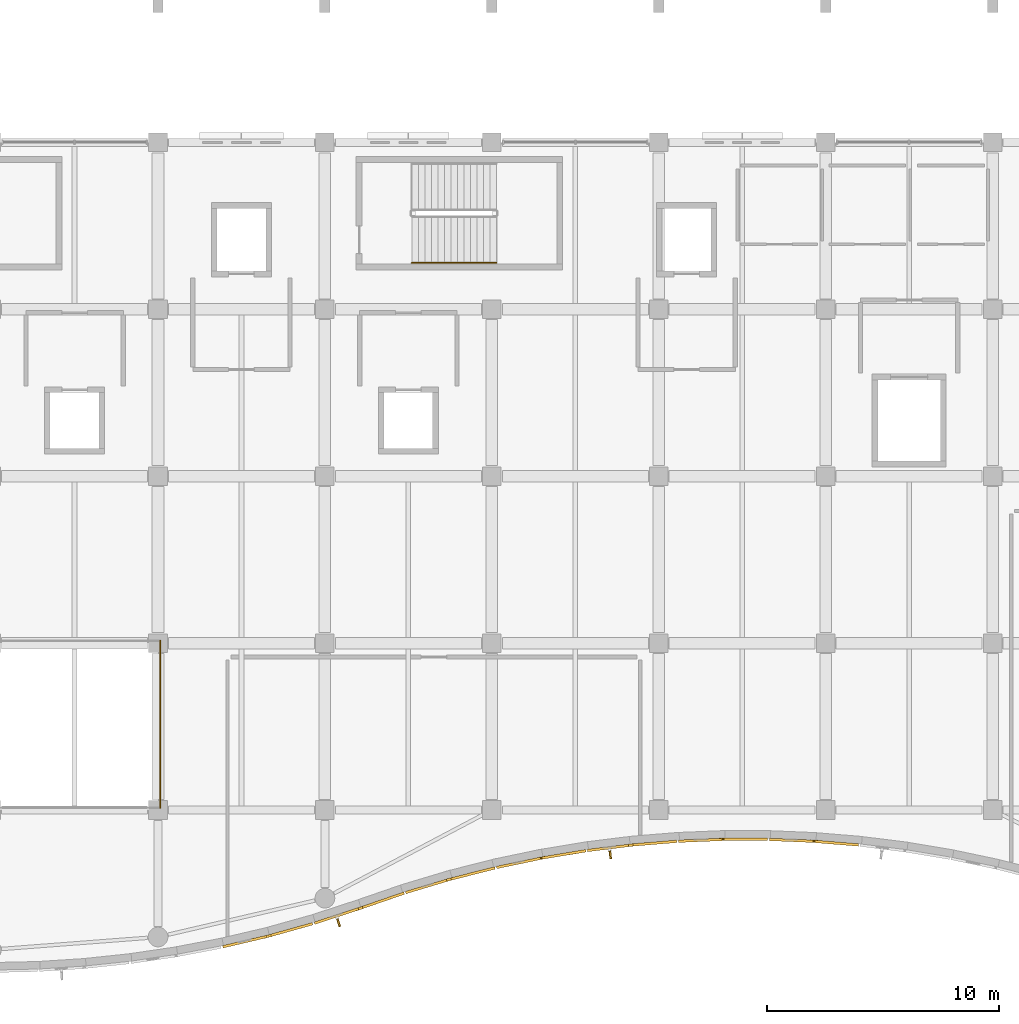
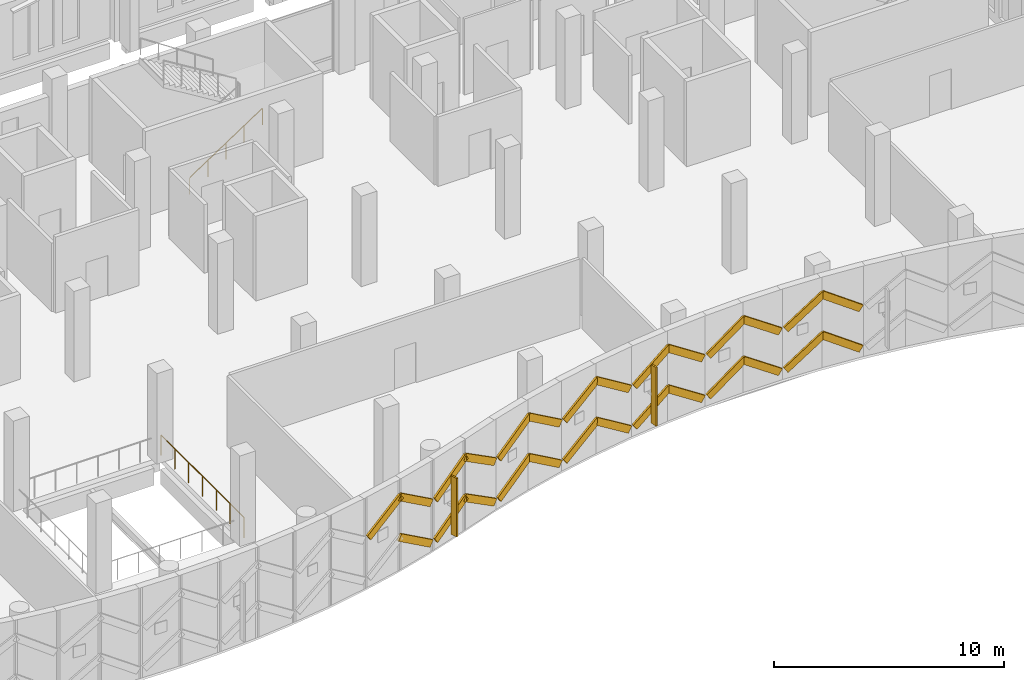
# One storey, part 205 of 220: 27 coverings, 2 railings, 2 shading devices.
"""IFC4 building model written with IfcOpenShell, lengths in metres."""

from ifc_helpers import new_model, si_unit, direction, frame, origin, origin_2d, place, context, subcontext, project, spatial, polyline, rectangle, circle, outline, extrude, material, layer, layer_set, type_object, element, save


model = new_model("IFC4")

# Units and contexts
model_context = context("Model", 3, precision=1e-05, world=origin(), true_north=direction((0.0, 1.0)))
body_context = subcontext(model_context, "Body", "Model", "MODEL_VIEW")
ifc_project = project(units=[si_unit("LENGTHUNIT", "METRE"), si_unit("AREAUNIT", "SQUARE_METRE"), si_unit("VOLUMEUNIT", "CUBIC_METRE"), si_unit("PLANEANGLEUNIT", "RADIAN"), si_unit("MASSUNIT", "GRAM", prefix="KILO")], contexts=[model_context])

# Site, building, storey
site_placement = place(None, origin())
site = spatial("IfcSite", under=ifc_project, at=site_placement, CompositionType="ELEMENT")
building_placement = place(site_placement, origin())
building = spatial("IfcBuilding", under=site, at=building_placement, Name="Cendralis Lancet Convention Centre", CompositionType="ELEMENT")
storey_placement = place(building_placement, frame((0.0, 0.0, 5.39990234375)))
storey = spatial("IfcBuildingStorey", under=building, at=storey_placement, Name="L01", CompositionType="ELEMENT", Elevation=5.39990234375)

# Coverings
ifc_material_1 = material(Name="Warm buff sandstone chevron cassette", Category="masonry")
ifc_layer_1 = layer(ifc_material_1, 0.06005859375, Name="Warm buff sandstone chevron cassette")
ifc_layer_set_1 = layer_set([ifc_layer_1], Name="Warm buff sandstone chevron cassette")
covering_type_1 = type_object("IfcCoveringType", Name="ARC-CV-CLAD1", PredefinedType="CLADDING", material=ifc_layer_set_1)
covering_1_placement = place(storey_placement, frame((165.5869140625, 1.71044921875, 1.9501953125), z_axis=(0.531453986611, 0.148782625284, 0.833918695395), x_axis=(0.803160623506, 0.22439576897, -0.551887263594)))
element("IfcCovering", 1, at=covering_1_placement, inside=storey, type_object=covering_type_1, Name="L01 Diagonal Stone Chevron Relief CL-ST1 #0493", PredefinedType="CLADDING", context=body_context, shape_type="SweptSolid", body=[
    extrude(outline(polyline([(0.0, 0.0), (2.3555439917013454, 6.364266752489911e-17), (2.3555941206781124, 0.10999798795351641), (-0.00014595515983119658, 0.11006372014659496), (0.0, 0.0)])), origin(), (0.0, 0.0, -1.0), 0.360107421875),
])
covering_2_placement = place(storey_placement, frame((167.566162109375, 2.265380859375, 0.650146484375), z_axis=(-0.51986468046, -0.16924416085, 0.837315429231), x_axis=(0.796035143938, 0.259663721455, 0.546720039304)))
element("IfcCovering", 2, at=covering_2_placement, inside=storey, type_object=covering_type_1, Name="L01 Diagonal Stone Chevron Relief CL-ST1 #0499", PredefinedType="CLADDING", context=body_context, shape_type="SweptSolid", body=[
    extrude(outline(polyline([(0.0, 0.0), (2.377840388623247, 4.629543276513104e-17), (2.377959330951202, 0.10986456485642952), (-1.2007726361507043e-05, 0.11017235356771374), (0.0, 0.0)])), origin(), (0.0, 0.0, -1.0), 0.360107421875),
])
covering_3_placement = place(storey_placement, frame((169.539306640625, 2.909423828125, 1.9501953125), z_axis=(0.514522159667, 0.17754637904, 0.838894648035), x_axis=(0.793084635802, 0.273424590897, -0.544293811786)))
element("IfcCovering", 3, at=covering_3_placement, inside=storey, type_object=covering_type_1, Name="L01 Diagonal Stone Chevron Relief CL-ST1 #0505", PredefinedType="CLADDING", context=body_context, shape_type="SweptSolid", body=[
    extrude(outline(polyline([(0.0, 0.0), (2.3885056195295804, 1.9618638311125203e-16), (2.388480090784282, 0.1100218552492794), (-2.552874529859056e-05, 0.11002185524927931), (0.0, 0.0)])), origin(), (0.0, 0.0, -1.0), 0.360107421875),
])
covering_4_placement = place(storey_placement, frame((171.49951171875, 3.58349609375, 0.650146484375), z_axis=(-0.526600427836, -0.157858230104, 0.835327940746), x_axis=(0.800155868582, 0.239840269118, 0.549751972514)))
element("IfcCovering", 4, at=covering_4_placement, inside=storey, type_object=covering_type_1, Name="L01 Diagonal Stone Chevron Relief CL-ST1 #0511", PredefinedType="CLADDING", context=body_context, shape_type="SweptSolid", body=[
    extrude(outline(polyline([(0.0, 0.0), (2.364693891677105, 2.6156377411212794e-18), (2.364789323613613, 0.11007054501910996), (-9.991861734520019e-05, 0.11014064466546918), (0.0, 0.0)])), origin(), (0.0, 0.0, -1.0), 0.360107421875),
])
covering_5_placement = place(storey_placement, frame((173.4580078125, 4.1689453125, 1.9501953125), z_axis=(0.53729207941, 0.13663097552, 0.832255488376), x_axis=(0.806641328387, 0.204887729162, -0.554392267061)))
element("IfcCovering", 5, at=covering_5_placement, inside=storey, type_object=covering_type_1, Name="L01 Diagonal Stone Chevron Relief CL-ST1 #0517", PredefinedType="CLADDING", context=body_context, shape_type="SweptSolid", body=[
    extrude(outline(polyline([(0.0, 0.0), (2.3450231653887803, 4.9087253359281213e-17), (2.3449728388418096, 0.10984075095593482), (-3.0512871817059417e-07, 0.11007737259819038), (0.0, 0.0)])), origin(), (0.0, 0.0, -1.0), 0.360107421875),
])
covering_6_placement = place(storey_placement, frame((175.41650390625, 4.664794921875, 0.650146484375), z_axis=(-0.546472617656, -0.114493130539, 0.829613766286), x_axis=(0.812035786702, 0.169873194888, 0.558337692418)))
element("IfcCovering", 6, at=covering_6_placement, inside=storey, type_object=covering_type_1, Name="L01 Diagonal Stone Chevron Relief CL-ST1 #0523", PredefinedType="CLADDING", context=body_context, shape_type="SweptSolid", body=[
    extrude(outline(polyline([(0.0, 0.0), (2.3283075976710568, 5.64327230778705e-17), (2.3283995556212016, 0.11022286772289225), (-0.00014776592231336913, 0.11003391817299688), (0.0, 0.0)])), origin(), (0.0, 0.0, -1.0), 0.360107421875),
])
covering_7_placement = place(storey_placement, frame((177.375, 5.072998046875, 1.9501953125), z_axis=(0.553593347687, 0.092680234613, 0.827613907271), x_axis=(0.816436027079, 0.13556318949, -0.561297457097)))
element("IfcCovering", 7, at=covering_7_placement, inside=storey, type_object=covering_type_1, Name="L01 Diagonal Stone Chevron Relief CL-ST1 #0529", PredefinedType="CLADDING", context=body_context, shape_type="SweptSolid", body=[
    extrude(outline(polyline([(0.0, 0.0), (2.3160498658322064, -1.8865117801247777e-17), (2.3160277352949628, 0.11013446218138472), (-0.00022145573916698344, 0.11017455377341297), (0.0, 0.0)])), origin(), (0.0, 0.0, -1.0), 0.360107421875),
])
covering_8_placement = place(storey_placement, frame((179.334228515625, 5.39697265625, 0.650146484375), z_axis=(-0.559621487397, -0.069483204811, 0.825830415456), x_axis=(0.81961520542, 0.101128219842, 0.563918432218)))
element("IfcCovering", 8, at=covering_8_placement, inside=storey, type_object=covering_type_1, Name="L01 Diagonal Stone Chevron Relief CL-ST1 #0535", PredefinedType="CLADDING", context=body_context, shape_type="SweptSolid", body=[
    extrude(outline(polyline([(0.0, 0.0), (2.305484568228546, -2.1358782797964437e-17), (2.3053151011303066, 0.1099837772044363), (3.063427027140235e-05, 0.10995382173086979), (0.0, 0.0)])), origin(), (0.0, 0.0, -1.0), 0.360107421875),
])
covering_9_placement = place(storey_placement, frame((181.29248046875, 5.63720703125, 1.9501953125), z_axis=(0.56372015037, 0.04582580287, 0.824693632726), x_axis=(0.821922877014, 0.067546590766, -0.565579563206)))
element("IfcCovering", 9, at=covering_9_placement, inside=storey, type_object=covering_type_1, Name="L01 Diagonal Stone Chevron Relief CL-ST1 #0541", PredefinedType="CLADDING", context=body_context, shape_type="SweptSolid", body=[
    extrude(outline(polyline([(0.0, 0.0), (2.29871385522789, -4.380176776841438e-17), (2.2986936581586126, 0.10999067963624164), (0.00018046769561864875, 0.10997075205301722), (0.0, 0.0)])), origin(), (0.0, 0.0, -1.0), 0.360107421875),
])
covering_10_placement = place(storey_placement, frame((183.250732421875, 5.796875, 0.650146484375), z_axis=(-0.566129438513, -0.02327421025, 0.823987724415), x_axis=(0.823310188219, 0.033409062922, 0.566607596569)))
element("IfcCovering", 10, at=covering_10_placement, inside=storey, type_object=covering_type_1, Name="L01 Diagonal Stone Chevron Relief CL-ST1 #0547", PredefinedType="CLADDING", context=body_context, shape_type="SweptSolid", body=[
    extrude(outline(polyline([(0.0, 0.0), (2.294543489727777, -1.6263032587282567e-18), (2.2943948531893668, 0.10996104298841451), (5.23669255104919e-05, 0.1099511025582232), (0.0, 0.0)])), origin(), (0.0, 0.0, -1.0), 0.360107421875),
])
covering_11_placement = place(storey_placement, frame((185.208984375, 5.875, 1.9501953125), z_axis=(0.56694897815, 0.0, 0.823752909661), x_axis=(0.823752909661, 0.0, -0.56694897815)))
element("IfcCovering", 11, at=covering_11_placement, inside=storey, type_object=covering_type_1, Name="L01 Diagonal Stone Chevron Relief CL-ST1 #0553", PredefinedType="CLADDING", context=body_context, shape_type="SweptSolid", body=[
    extrude(outline(polyline([(0.0, 0.0), (2.293061418626595, 0.0), (2.293061418626595, 0.110107421875), (0.0, 0.110107421875), (0.0, 0.0)])), origin(), (0.0, 0.0, -1.0), 0.360107421875),
])
covering_12_placement = place(storey_placement, frame((187.1669921875, 5.87353515625, 0.650146484375), z_axis=(-0.565914812039, 0.023265386717, 0.824135393789), x_axis=(0.823423354599, -0.034251680165, 0.566392797894)))
element("IfcCovering", 12, at=covering_12_placement, inside=storey, type_object=covering_type_1, Name="L01 Diagonal Stone Chevron Relief CL-ST1 #0559", PredefinedType="CLADDING", context=body_context, shape_type="SweptSolid", body=[
    extrude(outline(polyline([(0.0, 0.0), (2.295212616638772, -1.9949319973733282e-17), (2.295269205423734, 0.10996112890130944), (-0.0001444423074694356, 0.10995102016854641), (0.0, 0.0)])), origin(), (0.0, 0.0, -1.0), 0.360107421875),
])
covering_13_placement = place(storey_placement, frame((189.1259765625, 5.79052734375, 1.9501953125), z_axis=(0.563628151376, -0.046445972385, 0.824721818934), x_axis=(0.821916092115, -0.06797083589, -0.565538595492)))
element("IfcCovering", 13, at=covering_13_placement, inside=storey, type_object=covering_type_1, Name="L01 Diagonal Stone Chevron Relief CL-ST1 #0565", PredefinedType="CLADDING", context=body_context, shape_type="SweptSolid", body=[
    extrude(outline(polyline([(0.0, 0.0), (2.298780027549156, -6.288372600415926e-18), (2.2987536579430996, 0.10999069985551012), (-2.6369606056305013e-05, 0.10999069985551013), (0.0, 0.0)])), origin(), (0.0, 0.0, -1.0), 0.360107421875),
])
ifc_material_2 = material(Name="Dark Andean slate chevron cassette", Category="masonry")
ifc_layer_2 = layer(ifc_material_2, 0.06005859375, Name="Dark Andean slate chevron cassette")
ifc_layer_set_2 = layer_set([ifc_layer_2], Name="Dark Andean slate chevron cassette")
covering_type_2 = type_object("IfcCoveringType", Name="ARC-CV-CLAD2", PredefinedType="CLADDING", material=ifc_layer_set_2)
covering_14_placement = place(storey_placement, frame((163.607421875, 1.2451171875, 2.800048828125), z_axis=(-0.541506189498, -0.127195296507, 0.83101889466), x_axis=(0.809127679696, 0.189485875457, 0.556244101948)))
element("IfcCovering", 14, at=covering_14_placement, inside=storey, type_object=covering_type_2, Name="L01 Diagonal Stone Chevron Relief CL-ST2 #0488", PredefinedType="CLADDING", context=body_context, shape_type="SweptSolid", body=[
    extrude(outline(polyline([(0.0, 0.0), (2.3372144111030053, -1.100465205072787e-16), (2.3371301001755995, 0.10985049749226938), (-3.8049727343364426e-05, 0.11008819524961726), (0.0, 0.0)])), origin(), (0.0, 0.0, -1.0), 0.360107421875),
])
covering_15_placement = place(storey_placement, frame((165.5869140625, 1.71044921875, 4.10009765625), z_axis=(0.531453986611, 0.148782625284, 0.833918695395), x_axis=(0.803160623506, 0.22439576897, -0.551887263594)))
element("IfcCovering", 15, at=covering_15_placement, inside=storey, type_object=covering_type_2, Name="L01 Diagonal Stone Chevron Relief CL-ST2 #0494", PredefinedType="CLADDING", context=body_context, shape_type="SweptSolid", body=[
    extrude(outline(polyline([(0.0, 0.0), (2.3555439917013454, 6.364266752489911e-17), (2.3555941206781124, 0.10999798795351641), (-0.00014595515983119658, 0.11006372014659496), (0.0, 0.0)])), origin(), (0.0, 0.0, -1.0), 0.360107421875),
])
covering_16_placement = place(storey_placement, frame((167.566162109375, 2.265380859375, 2.800048828125), z_axis=(-0.51986468046, -0.16924416085, 0.837315429231), x_axis=(0.796035143938, 0.259663721455, 0.546720039304)))
element("IfcCovering", 16, at=covering_16_placement, inside=storey, type_object=covering_type_2, Name="L01 Diagonal Stone Chevron Relief CL-ST2 #0500", PredefinedType="CLADDING", context=body_context, shape_type="SweptSolid", body=[
    extrude(outline(polyline([(0.0, 0.0), (2.377840388623247, 4.629543276513104e-17), (2.377959330951202, 0.10986456485642952), (-1.2007726361507043e-05, 0.11017235356771374), (0.0, 0.0)])), origin(), (0.0, 0.0, -1.0), 0.360107421875),
])
covering_17_placement = place(storey_placement, frame((169.539306640625, 2.909423828125, 4.10009765625), z_axis=(0.514522159667, 0.17754637904, 0.838894648035), x_axis=(0.793084635802, 0.273424590897, -0.544293811786)))
element("IfcCovering", 17, at=covering_17_placement, inside=storey, type_object=covering_type_2, Name="L01 Diagonal Stone Chevron Relief CL-ST2 #0506", PredefinedType="CLADDING", context=body_context, shape_type="SweptSolid", body=[
    extrude(outline(polyline([(0.0, 0.0), (2.3885056195295804, 1.9618638311125203e-16), (2.388480090784282, 0.1100218552492794), (-2.552874529859056e-05, 0.11002185524927931), (0.0, 0.0)])), origin(), (0.0, 0.0, -1.0), 0.360107421875),
])
covering_18_placement = place(storey_placement, frame((171.49951171875, 3.58349609375, 2.800048828125), z_axis=(-0.526600427836, -0.157858230104, 0.835327940746), x_axis=(0.800155868582, 0.239840269118, 0.549751972514)))
element("IfcCovering", 18, at=covering_18_placement, inside=storey, type_object=covering_type_2, Name="L01 Diagonal Stone Chevron Relief CL-ST2 #0512", PredefinedType="CLADDING", context=body_context, shape_type="SweptSolid", body=[
    extrude(outline(polyline([(0.0, 0.0), (2.364693891677105, 2.6156377411212794e-18), (2.364789323613613, 0.11007054501910996), (-9.991861734520019e-05, 0.11014064466546918), (0.0, 0.0)])), origin(), (0.0, 0.0, -1.0), 0.360107421875),
])
covering_19_placement = place(storey_placement, frame((173.4580078125, 4.1689453125, 4.10009765625), z_axis=(0.53729207941, 0.13663097552, 0.832255488376), x_axis=(0.806641328387, 0.204887729162, -0.554392267061)))
element("IfcCovering", 19, at=covering_19_placement, inside=storey, type_object=covering_type_2, Name="L01 Diagonal Stone Chevron Relief CL-ST2 #0518", PredefinedType="CLADDING", context=body_context, shape_type="SweptSolid", body=[
    extrude(outline(polyline([(0.0, 0.0), (2.3450231653887803, 4.9087253359281213e-17), (2.3449728388418096, 0.10984075095593482), (-3.0512871817059417e-07, 0.11007737259819038), (0.0, 0.0)])), origin(), (0.0, 0.0, -1.0), 0.360107421875),
])
covering_20_placement = place(storey_placement, frame((175.41650390625, 4.664794921875, 2.800048828125), z_axis=(-0.546472617656, -0.114493130539, 0.829613766286), x_axis=(0.812035786702, 0.169873194888, 0.558337692418)))
element("IfcCovering", 20, at=covering_20_placement, inside=storey, type_object=covering_type_2, Name="L01 Diagonal Stone Chevron Relief CL-ST2 #0524", PredefinedType="CLADDING", context=body_context, shape_type="SweptSolid", body=[
    extrude(outline(polyline([(0.0, 0.0), (2.3283075976710568, 5.64327230778705e-17), (2.3283995556212016, 0.11022286772289225), (-0.00014776592231336913, 0.11003391817299688), (0.0, 0.0)])), origin(), (0.0, 0.0, -1.0), 0.360107421875),
])
covering_21_placement = place(storey_placement, frame((177.375, 5.072998046875, 4.10009765625), z_axis=(0.553593347687, 0.092680234613, 0.827613907271), x_axis=(0.816436027079, 0.13556318949, -0.561297457097)))
element("IfcCovering", 21, at=covering_21_placement, inside=storey, type_object=covering_type_2, Name="L01 Diagonal Stone Chevron Relief CL-ST2 #0530", PredefinedType="CLADDING", context=body_context, shape_type="SweptSolid", body=[
    extrude(outline(polyline([(0.0, 0.0), (2.3160498658322064, -1.8865117801247777e-17), (2.3160277352949628, 0.11013446218138472), (-0.00022145573916698344, 0.11017455377341297), (0.0, 0.0)])), origin(), (0.0, 0.0, -1.0), 0.360107421875),
])
covering_22_placement = place(storey_placement, frame((179.334228515625, 5.39697265625, 2.800048828125), z_axis=(-0.559621487397, -0.069483204811, 0.825830415456), x_axis=(0.81961520542, 0.101128219842, 0.563918432218)))
element("IfcCovering", 22, at=covering_22_placement, inside=storey, type_object=covering_type_2, Name="L01 Diagonal Stone Chevron Relief CL-ST2 #0536", PredefinedType="CLADDING", context=body_context, shape_type="SweptSolid", body=[
    extrude(outline(polyline([(0.0, 0.0), (2.305484568228546, -2.1358782797964437e-17), (2.3053151011303066, 0.1099837772044363), (3.063427027140235e-05, 0.10995382173086979), (0.0, 0.0)])), origin(), (0.0, 0.0, -1.0), 0.360107421875),
])
covering_23_placement = place(storey_placement, frame((181.29248046875, 5.63720703125, 4.10009765625), z_axis=(0.56372015037, 0.04582580287, 0.824693632726), x_axis=(0.821922877014, 0.067546590766, -0.565579563206)))
element("IfcCovering", 23, at=covering_23_placement, inside=storey, type_object=covering_type_2, Name="L01 Diagonal Stone Chevron Relief CL-ST2 #0542", PredefinedType="CLADDING", context=body_context, shape_type="SweptSolid", body=[
    extrude(outline(polyline([(0.0, 0.0), (2.29871385522789, -4.380176776841438e-17), (2.2986936581586126, 0.10999067963624164), (0.00018046769561864875, 0.10997075205301722), (0.0, 0.0)])), origin(), (0.0, 0.0, -1.0), 0.360107421875),
])
covering_24_placement = place(storey_placement, frame((183.250732421875, 5.796875, 2.800048828125), z_axis=(-0.566129438513, -0.02327421025, 0.823987724415), x_axis=(0.823310188219, 0.033409062922, 0.566607596569)))
element("IfcCovering", 24, at=covering_24_placement, inside=storey, type_object=covering_type_2, Name="L01 Diagonal Stone Chevron Relief CL-ST2 #0548", PredefinedType="CLADDING", context=body_context, shape_type="SweptSolid", body=[
    extrude(outline(polyline([(0.0, 0.0), (2.294543489727777, -1.6263032587282567e-18), (2.2943948531893668, 0.10996104298841451), (5.23669255104919e-05, 0.1099511025582232), (0.0, 0.0)])), origin(), (0.0, 0.0, -1.0), 0.360107421875),
])
covering_25_placement = place(storey_placement, frame((185.208984375, 5.875, 4.10009765625), z_axis=(0.56694897815, 0.0, 0.823752909661), x_axis=(0.823752909661, 0.0, -0.56694897815)))
element("IfcCovering", 25, at=covering_25_placement, inside=storey, type_object=covering_type_2, Name="L01 Diagonal Stone Chevron Relief CL-ST2 #0554", PredefinedType="CLADDING", context=body_context, shape_type="SweptSolid", body=[
    extrude(outline(polyline([(0.0, 0.0), (2.293061418626595, 0.0), (2.293061418626595, 0.110107421875), (0.0, 0.110107421875), (0.0, 0.0)])), origin(), (0.0, 0.0, -1.0), 0.360107421875),
])
covering_26_placement = place(storey_placement, frame((187.1669921875, 5.87353515625, 2.800048828125), z_axis=(-0.565914812039, 0.023265386717, 0.824135393789), x_axis=(0.823423354599, -0.034251680165, 0.566392797894)))
element("IfcCovering", 26, at=covering_26_placement, inside=storey, type_object=covering_type_2, Name="L01 Diagonal Stone Chevron Relief CL-ST2 #0560", PredefinedType="CLADDING", context=body_context, shape_type="SweptSolid", body=[
    extrude(outline(polyline([(0.0, 0.0), (2.295212616638772, -1.9949319973733282e-17), (2.295269205423734, 0.10996112890130944), (-0.0001444423074694356, 0.10995102016854641), (0.0, 0.0)])), origin(), (0.0, 0.0, -1.0), 0.360107421875),
])
covering_27_placement = place(storey_placement, frame((189.1259765625, 5.79052734375, 4.10009765625), z_axis=(0.563628151376, -0.046445972385, 0.824721818934), x_axis=(0.821916092115, -0.06797083589, -0.565538595492)))
element("IfcCovering", 27, at=covering_27_placement, inside=storey, type_object=covering_type_2, Name="L01 Diagonal Stone Chevron Relief CL-ST2 #0566", PredefinedType="CLADDING", context=body_context, shape_type="SweptSolid", body=[
    extrude(outline(polyline([(0.0, 0.0), (2.298780027549156, -6.288372600415926e-18), (2.2987536579430996, 0.10999069985551012), (-2.6369606056305013e-05, 0.10999069985551013), (0.0, 0.0)])), origin(), (0.0, 0.0, -1.0), 0.360107421875),
])

# Railings
ifc_material_3 = material(Name="Steel S355", Category="steel")
railing_type_1 = type_object("IfcRailingType", Name="ARC-RL-CHR", PredefinedType="HANDRAIL", material=ifc_material_3)
railing_1_placement = place(storey_placement, frame((171.75, 30.800048828125, 0.171630859375)))
element("IfcRailing", 28, at=railing_1_placement, inside=storey, type_object=railing_type_1, Name="L01 ST-14 stair handrail 1", PredefinedType="HANDRAIL", context=body_context, shape_type="SweptSolid", body=[
    extrude(circle(Radius=0.02392578125, at=origin_2d()), frame((0.0, 0.0, 0.8759765625), z_axis=(0.834865213223, 0.0, 0.550454426587), x_axis=(0.0, 1.0, 0.0)), (0.0, 0.0, 1.0), 4.35986328125),
    extrude(circle(Radius=0.02099609375, at=origin_2d()), origin(), (0.0, 0.0, 1.0), 0.851806640625),
    extrude(circle(Radius=0.02099609375, at=origin_2d()), frame((0.909912109375, 0.0, 0.60009765625)), (0.0, 0.0, 1.0), 0.851806640625),
    extrude(circle(Radius=0.02099609375, at=origin_2d()), frame((1.81982421875, 0.0, 1.199951171875)), (0.0, 0.0, 1.0), 0.851806640625),
    extrude(circle(Radius=0.02099609375, at=origin_2d()), frame((2.72998046875, 0.0, 1.7998046875)), (0.0, 0.0, 1.0), 0.851806640625),
    extrude(circle(Radius=0.02099609375, at=origin_2d()), frame((3.639892578125, 0.0, 2.39990234375)), (0.0, 0.0, 1.0), 0.851806640625),
])
railing_type_2 = type_object("IfcRailingType", Name="ARC-RL-IG01", PredefinedType="GUARDRAIL", material=ifc_material_3)
railing_2_placement = place(storey_placement, frame((160.89990234375, 7.300048828125, 0.0)))
element("IfcRailing", 29, at=railing_2_placement, inside=storey, type_object=railing_type_2, Name="L01 Atrium Void Guardrail GD-IN1 #026", PredefinedType="GUARDRAIL", context=body_context, shape_type="SweptSolid", body=[
    extrude(circle(Radius=0.02392578125, at=origin_2d()), frame((0.0, 0.0, 1.076171875), z_axis=(0.0, 1.0, 0.0), x_axis=(-1.0, 0.0, 0.0)), (0.0, 0.0, 1.0), 7.199951171875),
    extrude(circle(Radius=0.02099609375, at=origin_2d()), origin(), (0.0, 0.0, 1.0), 1.052001953125),
    extrude(circle(Radius=0.02099609375, at=origin_2d()), frame((0.0, 1.199951171875, 0.0)), (0.0, 0.0, 1.0), 1.052001953125),
    extrude(circle(Radius=0.02099609375, at=origin_2d()), frame((0.0, 2.39990234375, 0.0)), (0.0, 0.0, 1.0), 1.052001953125),
    extrude(circle(Radius=0.02099609375, at=origin_2d()), frame((0.0, 3.60009765625, 0.0)), (0.0, 0.0, 1.0), 1.052001953125),
    extrude(circle(Radius=0.02099609375, at=origin_2d()), frame((0.0, 4.800048828125, 0.0)), (0.0, 0.0, 1.0), 1.052001953125),
    extrude(circle(Radius=0.02099609375, at=origin_2d()), frame((0.0, 6.0, 0.0)), (0.0, 0.0, 1.0), 1.052001953125),
    extrude(circle(Radius=0.02099609375, at=origin_2d()), frame((0.0, 7.199951171875, 0.0)), (0.0, 0.0, 1.0), 1.052001953125),
])

# Shading devices
ifc_material_4 = material(Name="Anodised bronze architectural aluminium", Category="aluminium")
shading_device_type = type_object("IfcShadingDeviceType", Name="ARC-SH-FIN1", PredefinedType="USERDEFINED", material=ifc_material_4)
for number, where, z_axis, x_axis, name in (
    (30, (168.591796875, 2.33154296875, 0.449951171875), (0.0, 0.0, 1.0), (0.950737803638, 0.309996175353, 0.0), "Anodised Bronze Lancet Solar Fin SF-01 #029"),
    (31, (180.310302734375, 5.260498046875, 0.449951171875), (0.0, 0.0, 1.0), (0.992471520713, 0.122475632571, 0.0), "Anodised Bronze Lancet Solar Fin SF-01 #031"),
):
    element("IfcShadingDevice", number, at=place(storey_placement, frame(where, z_axis=z_axis, x_axis=x_axis)), inside=storey, type_object=shading_device_type, Name=name, ObjectType="FIN", PredefinedType="USERDEFINED", context=body_context, shape_type="SweptSolid", body=[
        extrude(rectangle(XDim=0.080078125, YDim=0.340087890625, at=origin_2d()), origin(), (0.0, 0.0, 1.0), 3.10009765625),
    ])

save(model, "model.ifc")
